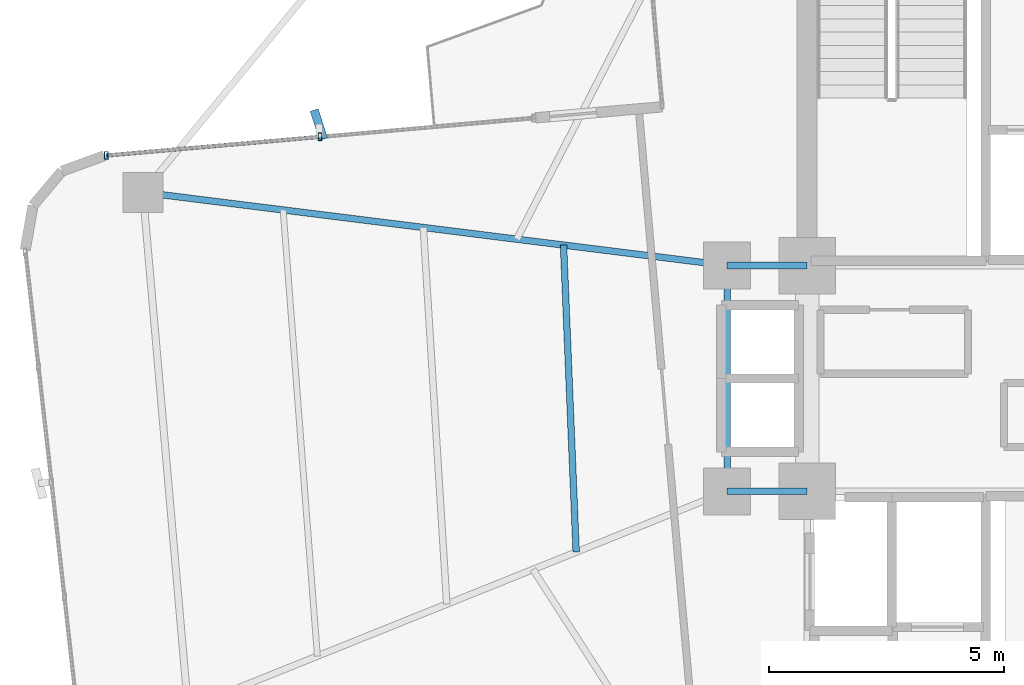
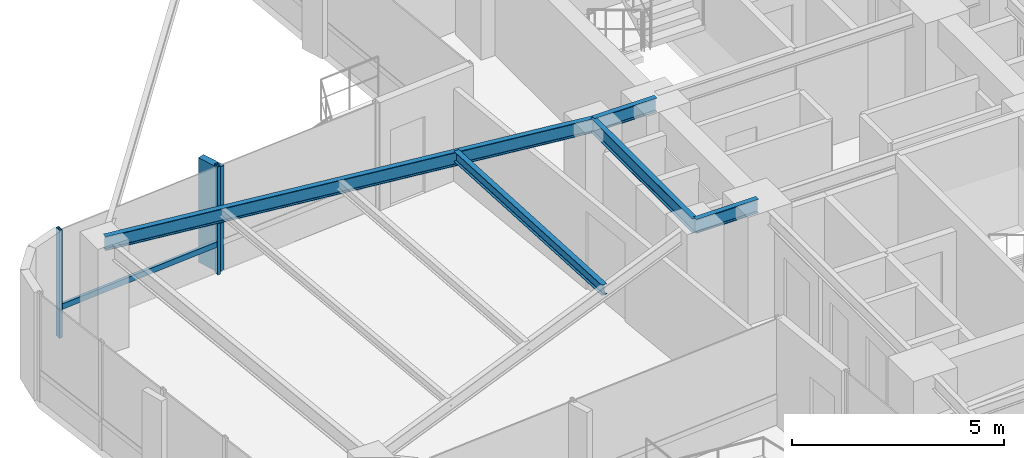
# One storey, part 9 of 24: 5 beams, 4 members, 1 element without a shape of its own.
"""IFC4 building model written with IfcOpenShell, lengths in metres."""

from ifc_helpers import new_model, si_unit, direction, frame, origin, origin_2d, place, context, subcontext, project, spatial, rectangle, hollow_rectangle, i_section, extrude, source, transform, mapped, material, material_profile, profile_set, type_object, element, aggregate, save


model = new_model("IFC4")

# Units and contexts
model_context = context("Model", 3, precision=1e-05, world=origin(), true_north=direction((0.0, 1.0)))
body_context = subcontext(model_context, "Body", "Model", "MODEL_VIEW")
ifc_project = project(units=[si_unit("LENGTHUNIT", "METRE"), si_unit("AREAUNIT", "SQUARE_METRE"), si_unit("VOLUMEUNIT", "CUBIC_METRE"), si_unit("PLANEANGLEUNIT", "RADIAN"), si_unit("MASSUNIT", "GRAM", prefix="KILO")], contexts=[model_context])

# Site, building, storey
site_placement = place(None, origin())
site = spatial("IfcSite", under=ifc_project, at=site_placement, CompositionType="ELEMENT")
building_placement = place(site_placement, origin())
building = spatial("IfcBuilding", under=site, at=building_placement, Name="Sahyath Konkavel Grand Hotel", CompositionType="ELEMENT")
storey_placement = place(building_placement, frame((0.0, 0.0, 164.0)))
storey = spatial("IfcBuildingStorey", under=building, at=storey_placement, Name="L45", CompositionType="ELEMENT", Elevation=164.0)

# Beams
ifc_material_1 = material(Name="Steel E350", Category="steel")
ifc_material_profile_1 = material_profile(ifc_material_1, i_section(OverallWidth=0.139892578125, OverallDepth=0.39990234375, WebThickness=0.0087890625, FlangeThickness=0.01611328125, FilletRadius=0.013916015625, at=origin_2d()), Name="ISMB 400")
ifc_profile_set_1 = profile_set([ifc_material_profile_1], Name="Steel E350")
beam_type_1 = type_object("IfcBeamType", Name="BM-ISMB400", PredefinedType="BEAM", material=ifc_profile_set_1)
shared_shape_1 = source(origin(), body_context, "Body", "SweptSolid", [
    extrude(i_section(OverallWidth=0.139892578125, OverallDepth=0.39990234375, WebThickness=0.0087890625, FlangeThickness=0.01611328125, FilletRadius=0.013916015625, at=origin_2d()), origin(), (0.0, 0.0, 1.0), 1.699951171875),
])
for number, where, z_axis, x_axis, name in (
    (1, (-5.5, 2.39990234375, 2.909912109375), (1.0, 0.0, 0.0), (0.0, 1.0, 0.0), "str:bm:L45:HB-NW"),
    (2, (-5.5, -2.39990234375, 2.909912109375), (1.0, 0.0, 0.0), (0.0, 1.0, 0.0), "str:bm:L45:HB-SW"),
):
    element("IfcBeam", number, at=place(storey_placement, frame(where, z_axis=z_axis, x_axis=x_axis)), inside=storey, type_object=beam_type_1, Name=name, PredefinedType="BEAM", context=body_context, shape_type="MappedRepresentation", body=[
        mapped(shared_shape_1, transform((0.0, 0.0, 0.0), scale=1.0)),
    ])
shared_shape_2 = source(origin(), body_context, "Body", "SweptSolid", [
    extrude(i_section(OverallWidth=0.139892578125, OverallDepth=0.39990234375, WebThickness=0.0087890625, FlangeThickness=0.01611328125, FilletRadius=0.013916015625, at=origin_2d()), origin(), (0.0, 0.0, 1.0), 4.7998046875),
])
beam_1_placement = place(storey_placement, frame((-5.5, -2.39990234375, 2.909912109375), z_axis=(0.0, 1.0, 0.0), x_axis=(-1.0, 0.0, 0.0)))
element("IfcBeam", 3, at=beam_1_placement, inside=storey, type_object=beam_type_1, Name="str:bm:L45:HB-W", PredefinedType="BEAM", context=body_context, shape_type="MappedRepresentation", body=[
    mapped(shared_shape_2, transform((0.0, 0.0, 0.0), scale=1.0)),
])
shared_shape_3 = source(origin(), body_context, "Body", "SweptSolid", [
    extrude(i_section(OverallWidth=0.139892578125, OverallDepth=0.39990234375, WebThickness=0.0087890625, FlangeThickness=0.01611328125, FilletRadius=0.013916015625, at=origin_2d()), origin(), (0.0, 0.0, 1.0), 12.509765625),
])
beam_2_placement = place(storey_placement, frame((-5.5, 2.39990234375, 2.909912109375), z_axis=(-0.992254740459, 0.124219684578, 0.0), x_axis=(-0.124219684578, -0.992254740459, 0.0)))
element("IfcBeam", 4, at=beam_2_placement, inside=storey, type_object=beam_type_1, Name="L45 Cruciform Radial Girder WA", PredefinedType="BEAM", context=body_context, shape_type="MappedRepresentation", body=[
    mapped(shared_shape_3, transform((0.0, 0.0, 0.0), scale=1.0)),
])
ifc_material_profile_2 = material_profile(ifc_material_1, i_section(OverallWidth=0.139892578125, OverallDepth=0.300048828125, WebThickness=0.0078125, FlangeThickness=0.01318359375, FilletRadius=0.013916015625, at=origin_2d()), Name="ISMB 300")
ifc_profile_set_2 = profile_set([ifc_material_profile_2], Name="Steel E350")
beam_type_2 = type_object("IfcBeamType", Name="BM-ISMB300", PredefinedType="BEAM", material=ifc_profile_set_2)
shared_shape_4 = source(origin(), body_context, "Body", "SweptSolid", [
    extrude(i_section(OverallWidth=0.139892578125, OverallDepth=0.300048828125, WebThickness=0.0078125, FlangeThickness=0.01318359375, FilletRadius=0.013916015625, at=origin_2d()), origin(), (0.0, 0.0, 1.0), 6.530029296875),
])
beam_3_placement = place(storey_placement, frame((-8.9755859375, 2.835205078125, 2.9599609375), z_axis=(0.04112667768, -0.999153940283, 0.0), x_axis=(0.999153940283, 0.04112667768, 0.0)))
element("IfcBeam", 5, at=beam_3_placement, inside=storey, type_object=beam_type_2, Name="L45 Secondary Floor Beam W-1", PredefinedType="BEAM", context=body_context, shape_type="MappedRepresentation", body=[
    mapped(shared_shape_4, transform((0.0, 0.0, 0.0), scale=1.0)),
])

# Curtain wall, members
ifc_material_2 = material(Name="Anodised Bronze Aluminium & Low-E Glazing", Category="aluminium")
curtain_wall_type = type_object("IfcCurtainWallType", Name="CW-ZONE3", PredefinedType="NOTDEFINED", material=ifc_material_2)
curtain_wall_placement = place(storey_placement, origin())
curtain_wall = element("IfcCurtainWall", 6, at=curtain_wall_placement, inside=storey, type_object=curtain_wall_type, Name="L45 Unitised Curtain Wall F16", PredefinedType="NOTDEFINED")
ifc_material_3 = material(Name="Warm Buff Sandstone Cladding on Concrete C50/60", Category="masonry")
ifc_material_profile_3 = material_profile(ifc_material_3, rectangle(XDim=0.179931640625, YDim=0.64990234375, at=origin_2d()), Name="FIN 180x650")
ifc_profile_set_3 = profile_set([ifc_material_profile_3], Name="Warm Buff Sandstone Cladding on Concrete C50/60")
member_type_1 = type_object("IfcMemberType", Name="FIN-SANDSTONE-650", PredefinedType="MULLION", material=ifc_profile_set_3)
shared_shape_5 = source(origin(), body_context, "Body", "SweptSolid", [
    extrude(rectangle(XDim=0.179931640625, YDim=0.64990234375, at=origin_2d()), origin(), (0.0, 0.0, 1.0), 3.010009765625),
])
member_1_placement = place(storey_placement, frame((-14.17431640625, 5.39501953125, 0.050048828125), z_axis=(0.0, 0.0, 1.0), x_axis=(0.952236042525, 0.30536293049, 0.0)))
member_1 = element("IfcMember", 7, at=member_1_placement, type_object=member_type_1, Name="L45 Sandstone Vertical Solar Fin FIN F16-1", PredefinedType="MULLION", context=body_context, shape_type="MappedRepresentation", body=[
    mapped(shared_shape_5, transform((0.0, 0.0, 0.0), scale=1.0)),
])
ifc_material_4 = material(Name="Anodised Bronze Aluminium", Category="aluminium")
ifc_material_profile_4 = material_profile(ifc_material_4, hollow_rectangle(XDim=0.080078125, YDim=0.159912109375, WallThickness=0.006103515625, at=origin_2d()), Name="RHS 160x80x6")
ifc_profile_set_4 = profile_set([ifc_material_profile_4], Name="Anodised Bronze Aluminium")
member_type_2 = type_object("IfcMemberType", Name="CW-MUL-160", PredefinedType="MULLION", material=ifc_profile_set_4)
shared_shape_6 = source(origin(), body_context, "Body", "SweptSolid", [
    extrude(hollow_rectangle(XDim=0.080078125, YDim=0.159912109375, WallThickness=0.006103515625, at=origin_2d()), origin(), (0.0, 0.0, 1.0), 3.110107421875),
])
member_2_placement = place(storey_placement, frame((-14.151611328125, 5.135986328125, 0.0), z_axis=(0.0, 0.0, 1.0), x_axis=(1.0, 0.0, 0.0)))
member_2 = element("IfcMember", 8, at=member_2_placement, type_object=member_type_2, Name="L45 Curtain Wall Mullion F16-1", PredefinedType="MULLION", context=body_context, shape_type="MappedRepresentation", body=[
    mapped(shared_shape_6, transform((0.0, 0.0, 0.0), scale=1.0)),
])
member_3_placement = place(storey_placement, frame((-18.694091796875, 4.73876953125, 0.0), z_axis=(0.0, 0.0, 1.0), x_axis=(1.0, 0.0, 0.0)))
member_3 = element("IfcMember", 9, at=member_3_placement, type_object=member_type_2, Name="L45 Curtain Wall Mullion F16-2", PredefinedType="MULLION", context=body_context, shape_type="MappedRepresentation", body=[
    mapped(shared_shape_6, transform((0.0, 0.0, 0.0), scale=1.0)),
])
ifc_material_profile_5 = material_profile(ifc_material_4, hollow_rectangle(XDim=0.080078125, YDim=0.159912109375, WallThickness=0.006103515625, at=origin_2d()), Name="RHS 160x80x6")
ifc_profile_set_5 = profile_set([ifc_material_profile_5], Name="Anodised Bronze Aluminium")
member_type_3 = type_object("IfcMemberType", Name="CW-TRN-160", PredefinedType="USERDEFINED", material=ifc_profile_set_5)
shared_shape_7 = source(origin(), body_context, "Body", "SweptSolid", [
    extrude(hollow_rectangle(XDim=0.080078125, YDim=0.159912109375, WallThickness=0.006103515625, at=origin_2d()), origin(), (0.0, 0.0, 1.0), 4.559814453125),
])
member_4_placement = place(storey_placement, frame((-14.151611328125, 5.135986328125, 0.85009765625), z_axis=(-0.99619848155, -0.087112486804, 0.0), x_axis=(0.087112486804, -0.99619848155, 0.0)))
member_4 = element("IfcMember", 10, at=member_4_placement, type_object=member_type_3, Name="L45 Curtain Wall Transom F16-1-spandrel", ObjectType="TRANSOM", PredefinedType="USERDEFINED", context=body_context, shape_type="MappedRepresentation", body=[
    mapped(shared_shape_7, transform((0.0, 0.0, 0.0), scale=1.0)),
])
aggregate(curtain_wall, [member_2, member_1, member_3, member_4])

save(model, "model.ifc")
